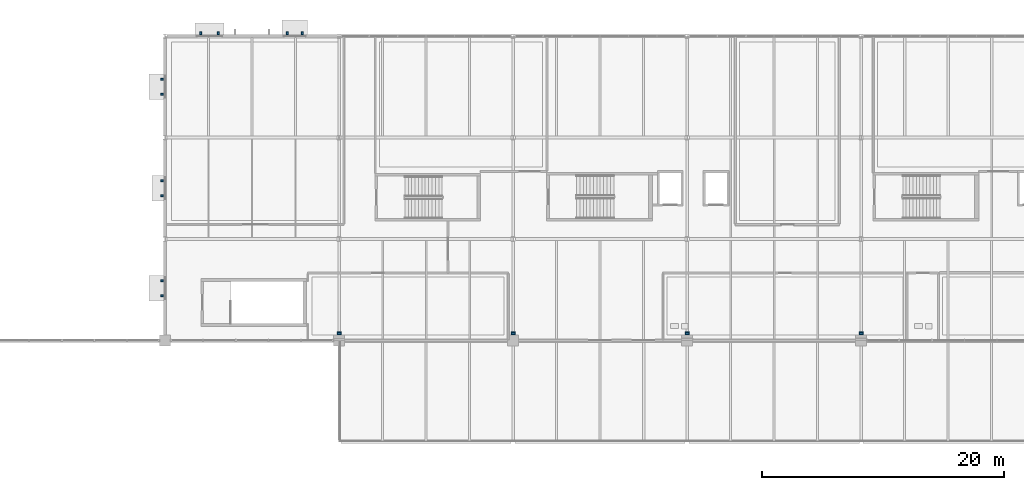
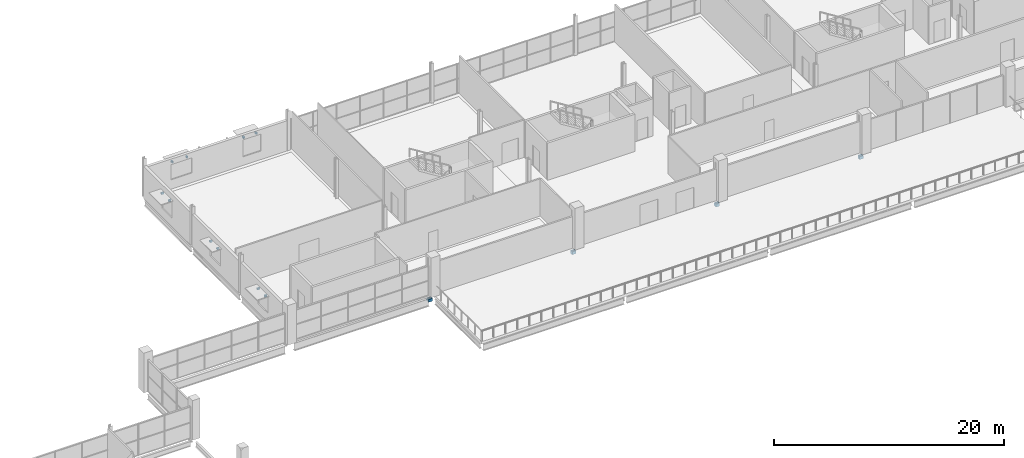
# One storey, part 84 of 93: 18 discrete accessories.
"""IFC4 building model written with IfcOpenShell, lengths in metres."""

from ifc_helpers import new_model, si_unit, direction, frame, origin, origin_2d, place, context, subcontext, project, spatial, rectangle, extrude, material, layer, layer_set, type_object, element, save


model = new_model("IFC4")

# Units and contexts
model_context = context("Model", 3, precision=1e-05, world=origin(), true_north=direction((0.0, 1.0)))
body_context = subcontext(model_context, "Body", "Model", "MODEL_VIEW")
ifc_project = project(units=[si_unit("LENGTHUNIT", "METRE"), si_unit("AREAUNIT", "SQUARE_METRE"), si_unit("VOLUMEUNIT", "CUBIC_METRE"), si_unit("PLANEANGLEUNIT", "RADIAN"), si_unit("MASSUNIT", "GRAM", prefix="KILO"), si_unit("THERMODYNAMICTEMPERATUREUNIT", "KELVIN")], contexts=[model_context])

# Site, building, storey
site_placement = place(None, origin())
site = spatial("IfcSite", under=ifc_project, at=site_placement, CompositionType="ELEMENT")
building_placement = place(site_placement, origin())
building = spatial("IfcBuilding", under=site, at=building_placement, Name="Nduvali Passage Aquatics Centre", CompositionType="ELEMENT")
storey_placement = place(building_placement, frame((0.0, 0.0, 9.0)))
storey = spatial("IfcBuildingStorey", under=building, at=storey_placement, Name="L02", CompositionType="ELEMENT", Elevation=9.0)

# Discrete accessories
ifc_material_1 = material(Name="Steel S355", Category="steel")
discrete_accessory_type_1 = type_object("IfcDiscreteAccessoryType", Name="ENV-BRK-S355", PredefinedType="BRACKET", material=ifc_material_1)
for number, where, z_axis, x_axis, name in (
    (1, (50.955078125, 117.85009765625, 2.580078125), (0.0, 0.0, 1.0), (-1.0, 0.0, 0.0), "L02 Sunshade Bracket 0127"),
    (2, (49.695068359375, 117.85009765625, 2.580078125), (0.0, 0.0, 1.0), (-1.0, 0.0, 0.0), "L02 Sunshade Bracket 0128"),
    (3, (44.010009765625, 117.85009765625, 2.48486328125), (0.0, 0.0, 1.0), (-1.0, 0.0, 0.0), "L02 Sunshade Bracket 0129"),
    (4, (42.5400390625, 117.85009765625, 2.48486328125), (0.0, 0.0, 1.0), (-1.0, 0.0, 0.0), "L02 Sunshade Bracket 0130"),
    (5, (39.35009765625, 97.366943359375, 2.580078125), (0.0, 0.0, 1.0), (0.0, -1.0, 0.0), "L02 Sunshade Bracket 0131"),
    (6, (39.35009765625, 96.10693359375, 2.580078125), (0.0, 0.0, 1.0), (0.0, -1.0, 0.0), "L02 Sunshade Bracket 0132"),
    (7, (39.35009765625, 105.632080078125, 2.5849609375), (0.0, 0.0, 1.0), (0.0, -1.0, 0.0), "L02 Sunshade Bracket 0133"),
    (8, (39.35009765625, 104.3720703125, 2.5849609375), (0.0, 0.0, 1.0), (0.0, -1.0, 0.0), "L02 Sunshade Bracket 0134"),
    (9, (39.35009765625, 114.034912109375, 2.580078125), (0.0, 0.0, 1.0), (0.0, -1.0, 0.0), "L02 Sunshade Bracket 0135"),
    (10, (39.35009765625, 112.77490234375, 2.580078125), (0.0, 0.0, 1.0), (0.0, -1.0, 0.0), "L02 Sunshade Bracket 0136"),
):
    element("IfcDiscreteAccessory", number, at=place(storey_placement, frame(where, z_axis=z_axis, x_axis=x_axis)), inside=storey, type_object=discrete_accessory_type_1, Name=name, PredefinedType="BRACKET", context=body_context, shape_type="SweptSolid", body=[
        extrude(rectangle(XDim=0.159912109375, YDim=0.239990234375, at=origin_2d()), origin(), (0.0, 0.0, 1.0), 0.179931640625),
    ])
ifc_material_2 = material(Name="Concrete C40/50", Category="concrete")
discrete_accessory_type_2 = type_object("IfcDiscreteAccessoryType", Name="STR-ACC-CRB320", PredefinedType="BRACKET", material=ifc_material_2)
for number, where, z_axis, x_axis, name in (
    (11, (54.0, 93.010009765625, -1.12548828125), (0.0, 0.0, 1.0), (0.0, 1.0, 0.0), "L02 Movement Joint MJ2 RC Corbel CRB1-011"),
    (12, (68.39990234375, 93.010009765625, -1.12548828125), (0.0, 0.0, 1.0), (0.0, 1.0, 0.0), "L02 Movement Joint MJ2 RC Corbel CRB1-012"),
    (13, (82.800048828125, 93.010009765625, -1.12548828125), (0.0, 0.0, 1.0), (0.0, 1.0, 0.0), "L02 Movement Joint MJ2 RC Corbel CRB1-013"),
    (14, (97.199951171875, 93.010009765625, -1.12548828125), (0.0, 0.0, 1.0), (0.0, 1.0, 0.0), "L02 Movement Joint MJ2 RC Corbel CRB1-014"),
):
    element("IfcDiscreteAccessory", number, at=place(storey_placement, frame(where, z_axis=z_axis, x_axis=x_axis)), inside=storey, type_object=discrete_accessory_type_2, Name=name, PredefinedType="BRACKET", context=body_context, shape_type="SweptSolid", body=[
        extrude(rectangle(XDim=0.320068359375, YDim=0.3798828125, at=origin_2d()), origin(), (0.0, 0.0, 1.0), 0.300048828125),
    ])
ifc_layer = layer(ifc_material_1, 0.02197265625, Name="Steel S355")
ifc_layer_set = layer_set([ifc_layer], Name="Steel S355")
discrete_accessory_type_3 = type_object("IfcDiscreteAccessoryType", Name="STR-ACC-PTFE140", PredefinedType="SHOE", material=ifc_layer_set)
for number, where, z_axis, x_axis, name in (
    (15, (54.0, 93.010009765625, -0.825439453125), (0.0, 0.0, 1.0), (0.0, 1.0, 0.0), "L02 Movement Joint MJ2 PTFE Bearing Pad PTFE1-011"),
    (16, (68.39990234375, 93.010009765625, -0.825439453125), (0.0, 0.0, 1.0), (0.0, 1.0, 0.0), "L02 Movement Joint MJ2 PTFE Bearing Pad PTFE1-012"),
    (17, (82.800048828125, 93.010009765625, -0.825439453125), (0.0, 0.0, 1.0), (0.0, 1.0, 0.0), "L02 Movement Joint MJ2 PTFE Bearing Pad PTFE1-013"),
    (18, (97.199951171875, 93.010009765625, -0.825439453125), (0.0, 0.0, 1.0), (0.0, 1.0, 0.0), "L02 Movement Joint MJ2 PTFE Bearing Pad PTFE1-014"),
):
    element("IfcDiscreteAccessory", number, at=place(storey_placement, frame(where, z_axis=z_axis, x_axis=x_axis)), inside=storey, type_object=discrete_accessory_type_3, Name=name, PredefinedType="SHOE", context=body_context, shape_type="SweptSolid", body=[
        extrude(rectangle(XDim=0.139892578125, YDim=0.340087890625, at=origin_2d()), origin(), (0.0, 0.0, 1.0), 0.02197265625),
    ])

save(model, "model.ifc")
